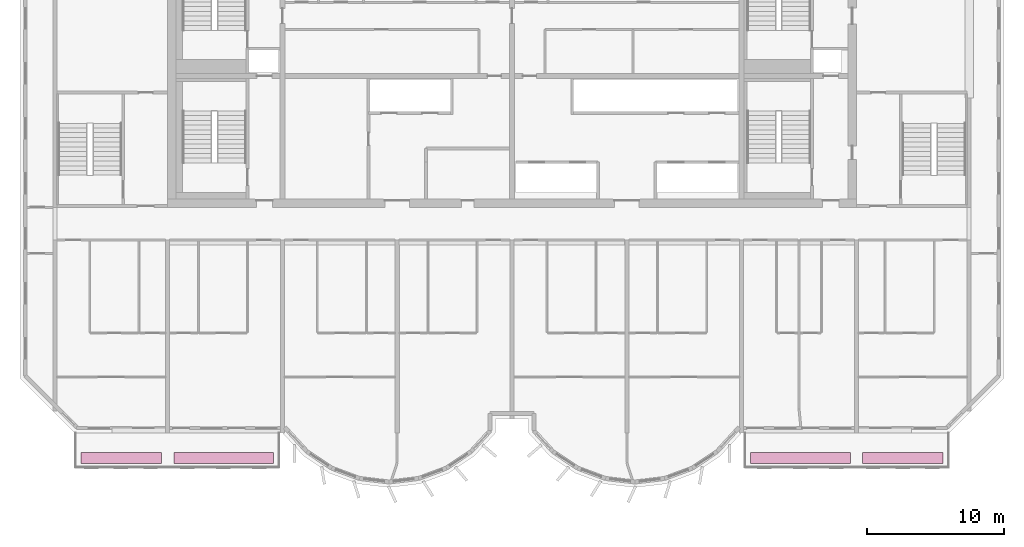
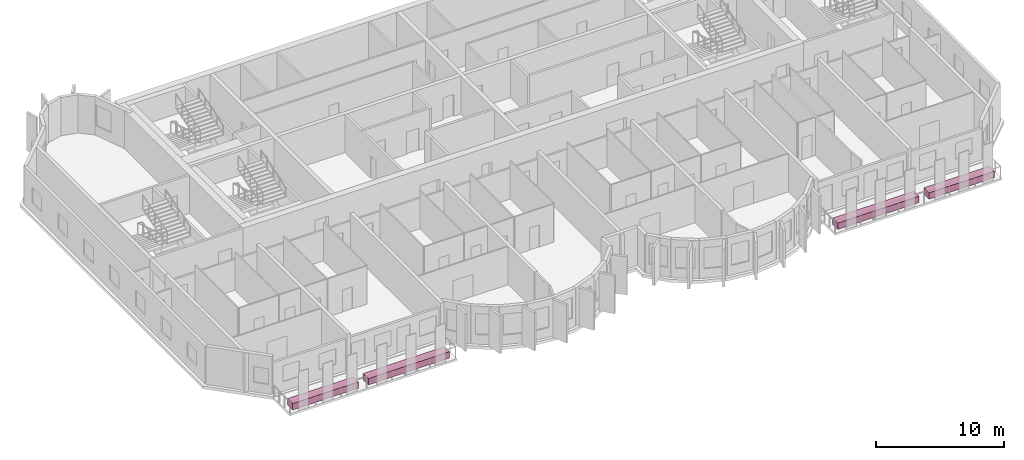
# One storey, part 12 of 12: 4 furniture elements.
"""IFC4 building model written with IfcOpenShell, lengths in metres."""

from ifc_helpers import new_model, si_unit, direction, frame, origin, origin_2d, place, context, subcontext, project, spatial, rectangle, extrude, source, transform, mapped, material, type_object, element, save


model = new_model("IFC4")

# Units and contexts
model_context = context("Model", 3, precision=1e-05, world=origin(), true_north=direction((0.0, 1.0)))
body_context = subcontext(model_context, "Body", "Model", "MODEL_VIEW")
ifc_project = project(units=[si_unit("LENGTHUNIT", "METRE"), si_unit("AREAUNIT", "SQUARE_METRE"), si_unit("VOLUMEUNIT", "CUBIC_METRE"), si_unit("PLANEANGLEUNIT", "RADIAN"), si_unit("MASSUNIT", "GRAM", prefix="KILO")], contexts=[model_context])

# Site, building, storey
site_placement = place(None, origin())
site = spatial("IfcSite", under=ifc_project, at=site_placement, CompositionType="ELEMENT")
building_placement = place(site_placement, origin())
building = spatial("IfcBuilding", under=site, at=building_placement, Name="Vanashikhar Sky Hotel", CompositionType="ELEMENT")
storey_placement = place(building_placement, frame((0.0, 0.0, 253.0)))
storey = spatial("IfcBuildingStorey", under=building, at=storey_placement, Name="L61", CompositionType="ELEMENT", Elevation=253.0)

# Furniture
ifc_material = material(Name="Planting soil and shrubs")
furniture_type = type_object("IfcFurnitureType", Name="Planter trough", AssemblyPlace="NOTDEFINED", PredefinedType="USERDEFINED", material=ifc_material)
shared_shape_1 = source(origin(), body_context, "Body", "SweptSolid", [
    extrude(rectangle(XDim=7.300048828125, YDim=0.800048828125, at=origin_2d()), origin(), (0.0, 0.0, 1.0), 0.60009765625),
])
for number, where, z_axis, x_axis, name in (
    (1, (29.300048828125, 3.64990234375, -0.050048828125), (0.0, 0.0, 1.0), (1.0, 0.0, 0.0), "PLANTER with climbers"),
    (2, (71.5, 3.64990234375, -0.050048828125), (0.0, 0.0, 1.0), (1.0, 0.0, 0.0), "PLANTER with climbers"),
):
    element("IfcFurniture", number, at=place(storey_placement, frame(where, z_axis=z_axis, x_axis=x_axis)), inside=storey, type_object=furniture_type, Name=name, ObjectType="PLANTER", PredefinedType="USERDEFINED", context=body_context, shape_type="MappedRepresentation", body=[
        mapped(shared_shape_1, transform((0.0, 0.0, 0.0), scale=1.0)),
    ])
shared_shape_2 = source(origin(), body_context, "Body", "SweptSolid", [
    extrude(rectangle(XDim=5.89990234375, YDim=0.800048828125, at=origin_2d()), origin(), (0.0, 0.0, 1.0), 0.60009765625),
])
for number, where, z_axis, x_axis, name in (
    (3, (21.800048828125, 3.64990234375, -0.050048828125), (0.0, 0.0, 1.0), (1.0, 0.0, 0.0), "PLANTER with climbers"),
    (4, (79.0, 3.64990234375, -0.050048828125), (0.0, 0.0, 1.0), (1.0, 0.0, 0.0), "PLANTER with climbers"),
):
    element("IfcFurniture", number, at=place(storey_placement, frame(where, z_axis=z_axis, x_axis=x_axis)), inside=storey, type_object=furniture_type, Name=name, ObjectType="PLANTER", PredefinedType="USERDEFINED", context=body_context, shape_type="MappedRepresentation", body=[
        mapped(shared_shape_2, transform((0.0, 0.0, 0.0), scale=1.0)),
    ])

save(model, "model.ifc")
